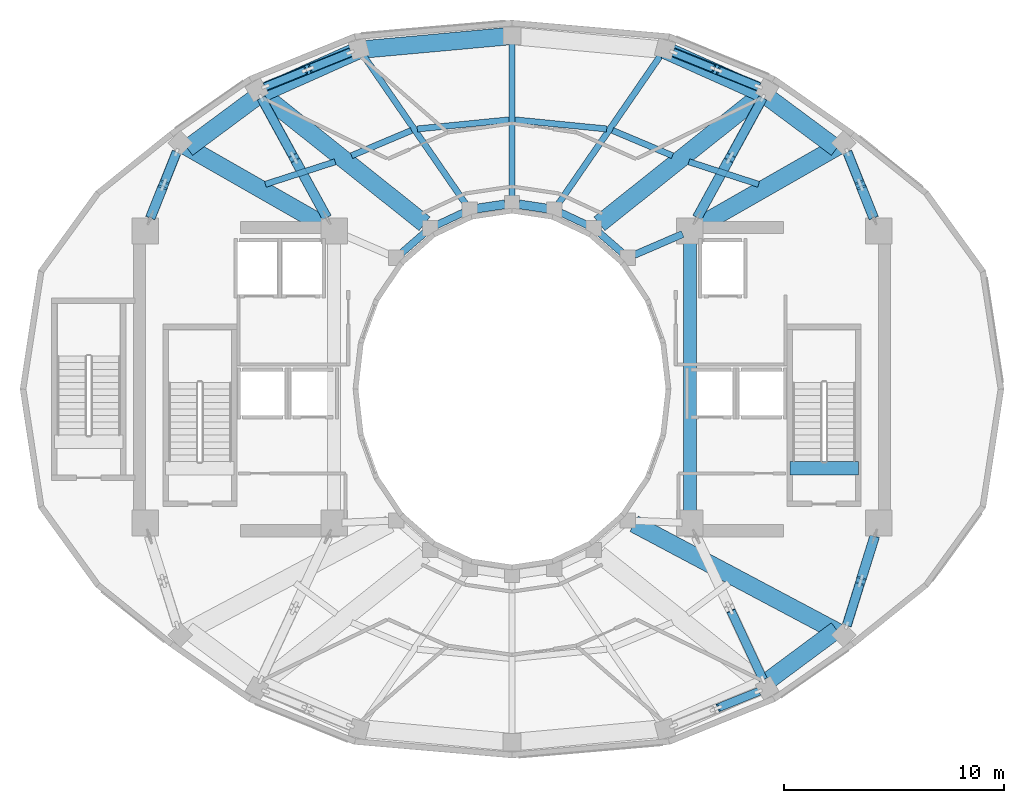
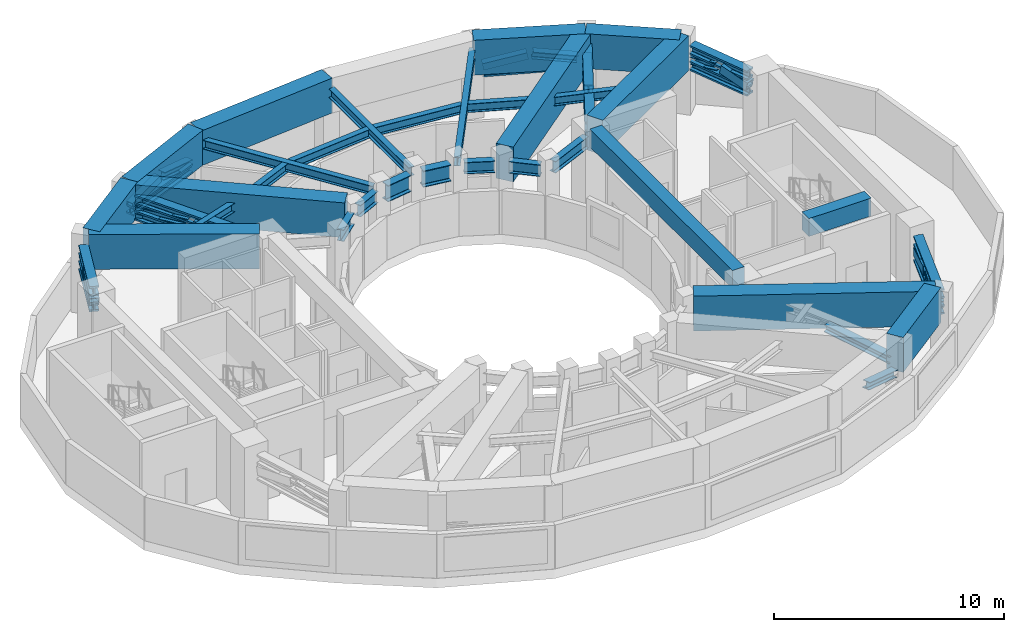
# One storey, part 2 of 10: 41 beams, 16 members.
"""IFC4 building model written with IfcOpenShell, lengths in metres."""

from ifc_helpers import new_model, si_unit, direction, frame, origin, origin_2d, place, context, subcontext, project, spatial, rectangle, hollow_rectangle, i_section, extrude, material, material_profile, profile_set, type_object, element, save


model = new_model("IFC4")

# Units and contexts
model_context = context("Model", 3, precision=1e-05, world=origin(), true_north=direction((0.0, 1.0)))
body_context = subcontext(model_context, "Body", "Model", "MODEL_VIEW")
ifc_project = project(units=[si_unit("LENGTHUNIT", "METRE"), si_unit("AREAUNIT", "SQUARE_METRE"), si_unit("VOLUMEUNIT", "CUBIC_METRE"), si_unit("PLANEANGLEUNIT", "RADIAN"), si_unit("MASSUNIT", "GRAM", prefix="KILO")], contexts=[model_context])

# Site, building, storey
site_placement = place(None, origin())
site = spatial("IfcSite", under=ifc_project, at=site_placement, CompositionType="ELEMENT")
building_placement = place(site_placement, origin())
building = spatial("IfcBuilding", under=site, at=building_placement, Name="Solvane Sanctuary Tower", CompositionType="ELEMENT")
storey_placement = place(building_placement, frame((0.0, 0.0, 193.199951171875)))
storey = spatial("IfcBuildingStorey", under=building, at=storey_placement, Name="L59", CompositionType="ELEMENT", Elevation=193.199951171875)

# Beams
ifc_material_1 = material(Name="Steel ASTM A913 Grade 65", Category="steel")
ifc_material_profile_1 = material_profile(ifc_material_1, i_section(OverallWidth=0.403076171875, OverallDepth=0.867919921875, WebThickness=0.02099609375, FlangeThickness=0.03564453125, FilletRadius=0.02197265625, at=origin_2d()), Name="W33X241")
ifc_profile_set_1 = profile_set([ifc_material_profile_1], Name="Steel ASTM A913 Grade 65")
beam_type_1 = type_object("IfcBeamType", Name="Beam B-BELT-CH W33X241", PredefinedType="BEAM", material=ifc_profile_set_1)
for number, where, z_axis, x_axis, name in (
    (1, (30.3857421875, 31.218994140625, 3.26416015625), (0.989056121481, 0.147539786368, 0.0), (-0.147539786368, 0.989056121481, 0.0), "L59 Inner Belt Chord IC05-IC04"),
    (2, (32.31640625, 31.41259765625, 3.26416015625), (0.989056121481, -0.147539786368, 0.0), (0.147539786368, 0.989056121481, 0.0), "L59 Inner Belt Chord IC04-IC03"),
):
    element("IfcBeam", number, at=place(storey_placement, frame(where, z_axis=z_axis, x_axis=x_axis)), inside=storey, type_object=beam_type_1, Name=name, PredefinedType="BEAM", context=body_context, shape_type="SweptSolid", body=[
        extrude(i_section(OverallWidth=0.403076171875, OverallDepth=0.867919921875, WebThickness=0.02099609375, FlangeThickness=0.03564453125, FilletRadius=0.02197265625, at=origin_2d()), origin(), (0.0, 0.0, 1.0), 1.312255859375),
    ])
ifc_material_2 = material(Name="Concrete C70/85", Category="concrete")
ifc_material_profile_2 = material_profile(ifc_material_2, rectangle(XDim=0.60009765625, YDim=0.949951171875, at=origin_2d()), Name="RC600X950")
ifc_profile_set_2 = profile_set([ifc_material_profile_2], Name="Concrete C70/85")
beam_type_2 = type_object("IfcBeamType", Name="Beam B-COUPLE RC600X950", PredefinedType="LINTEL", material=ifc_profile_set_2)
beam_1_placement = place(storey_placement, frame((40.10009765625, 17.35009765625, 3.72509765625), z_axis=(0.0, 1.0, 0.0), x_axis=(-1.0, 0.0, 0.0)))
element("IfcBeam", 3, at=beam_1_placement, inside=storey, type_object=beam_type_2, Name="L59 East Core Coupling Lintel", PredefinedType="LINTEL", context=body_context, shape_type="SweptSolid", body=[
    extrude(rectangle(XDim=0.60009765625, YDim=0.949951171875, at=origin_2d()), origin(), (0.0, 0.0, 1.0), 12.39990234375),
])
beam_2_placement = place(storey_placement, frame((44.64990234375, 19.399169921875, 3.72509765625), z_axis=(1.0, 0.0, 0.0), x_axis=(0.0, 1.0, 0.0)))
element("IfcBeam", 4, at=beam_2_placement, inside=storey, type_object=beam_type_2, Name="L59 ST-2 Stair Floor Landing Trimmer", PredefinedType="LINTEL", context=body_context, shape_type="SweptSolid", body=[
    extrude(rectangle(XDim=0.60009765625, YDim=0.949951171875, at=origin_2d()), origin(), (0.0, 0.0, 1.0), 3.1201171875),
])
ifc_material_profile_3 = material_profile(ifc_material_1, i_section(OverallWidth=0.431884765625, OverallDepth=0.498046875, WebThickness=0.0556640625, FlangeThickness=0.0888671875, FilletRadius=0.02490234375, at=origin_2d()), Name="W14X500")
ifc_profile_set_3 = profile_set([ifc_material_profile_3], Name="Steel ASTM A913 Grade 65")
beam_type_3 = type_object("IfcBeamType", Name="Beam B-OUTR-CH W14X500", PredefinedType="BEAM", material=ifc_profile_set_3)
for number, where, z_axis, x_axis, name in (
    (5, (15.542724609375, 30.809326171875, 3.448974609375), (0.370248826802, 0.928932616637, 0.0), (-0.928932616637, 0.370248826802, 0.0), "L59 Outrigger Top Chord OW1"),
    (6, (15.542724609375, 30.809326171875, 2.610107421875), (0.370248826802, 0.928932616637, 0.0), (-0.928932616637, 0.370248826802, 0.0), "L59 Outrigger Bottom Chord OW1"),
):
    element("IfcBeam", number, at=place(storey_placement, frame(where, z_axis=z_axis, x_axis=x_axis)), inside=storey, type_object=beam_type_3, Name=name, PredefinedType="BEAM", context=body_context, shape_type="SweptSolid", body=[
        extrude(i_section(OverallWidth=0.431884765625, OverallDepth=0.498046875, WebThickness=0.0556640625, FlangeThickness=0.0888671875, FilletRadius=0.02490234375, at=origin_2d()), origin(), (0.0, 0.0, 1.0), 3.2080078125),
    ])
for number, where, z_axis, x_axis, name in (
    (7, (23.56640625, 30.808837890625, 3.448974609375), (-0.480440631175, 0.877027251524, 0.0), (-0.877027251524, -0.480440631175, 0.0), "L59 Outrigger Top Chord OW2"),
    (8, (23.56640625, 30.808837890625, 2.610107421875), (-0.480440631175, 0.877027251524, 0.0), (-0.877027251524, -0.480440631175, 0.0), "L59 Outrigger Bottom Chord OW2"),
):
    element("IfcBeam", number, at=place(storey_placement, frame(where, z_axis=z_axis, x_axis=x_axis)), inside=storey, type_object=beam_type_3, Name=name, PredefinedType="BEAM", context=body_context, shape_type="SweptSolid", body=[
        extrude(i_section(OverallWidth=0.431884765625, OverallDepth=0.498046875, WebThickness=0.0556640625, FlangeThickness=0.0888671875, FilletRadius=0.02490234375, at=origin_2d()), origin(), (0.0, 0.0, 1.0), 6.210205078125),
    ])
for number, where, z_axis, x_axis, name in (
    (9, (48.457275390625, 30.809326171875, 3.448974609375), (-0.370248826802, 0.928932616637, 0.0), (-0.928932616637, -0.370248826802, 0.0), "L59 Outrigger Top Chord OE1"),
    (10, (48.457275390625, 30.809326171875, 2.610107421875), (-0.370248826802, 0.928932616637, 0.0), (-0.928932616637, -0.370248826802, 0.0), "L59 Outrigger Bottom Chord OE1"),
):
    element("IfcBeam", number, at=place(storey_placement, frame(where, z_axis=z_axis, x_axis=x_axis)), inside=storey, type_object=beam_type_3, Name=name, PredefinedType="BEAM", context=body_context, shape_type="SweptSolid", body=[
        extrude(i_section(OverallWidth=0.431884765625, OverallDepth=0.498046875, WebThickness=0.0556640625, FlangeThickness=0.0888671875, FilletRadius=0.02490234375, at=origin_2d()), origin(), (0.0, 0.0, 1.0), 3.2080078125),
    ])
for number, where, z_axis, x_axis, name in (
    (11, (40.43359375, 30.808837890625, 3.448974609375), (0.480440631175, 0.877027251524, 0.0), (-0.877027251524, 0.480440631175, 0.0), "L59 Outrigger Top Chord OE2"),
    (12, (40.43359375, 30.808837890625, 2.610107421875), (0.480440631175, 0.877027251524, 0.0), (-0.877027251524, 0.480440631175, 0.0), "L59 Outrigger Bottom Chord OE2"),
):
    element("IfcBeam", number, at=place(storey_placement, frame(where, z_axis=z_axis, x_axis=x_axis)), inside=storey, type_object=beam_type_3, Name=name, PredefinedType="BEAM", context=body_context, shape_type="SweptSolid", body=[
        extrude(i_section(OverallWidth=0.431884765625, OverallDepth=0.498046875, WebThickness=0.0556640625, FlangeThickness=0.0888671875, FilletRadius=0.02490234375, at=origin_2d()), origin(), (0.0, 0.0, 1.0), 6.210205078125),
    ])
for number, where, z_axis, x_axis, name in (
    (13, (48.509521484375, 16.29052734375, 3.448974609375), (-0.298373195147, -0.954449284361, 0.0), (0.954449284361, -0.298373195147, 0.0), "L59 Outrigger Top Chord OE3"),
    (14, (48.509521484375, 16.29052734375, 2.610107421875), (-0.298373195147, -0.954449284361, 0.0), (0.954449284361, -0.298373195147, 0.0), "L59 Outrigger Bottom Chord OE3"),
):
    element("IfcBeam", number, at=place(storey_placement, frame(where, z_axis=z_axis, x_axis=x_axis)), inside=storey, type_object=beam_type_3, Name=name, PredefinedType="BEAM", context=body_context, shape_type="SweptSolid", body=[
        extrude(i_section(OverallWidth=0.431884765625, OverallDepth=0.498046875, WebThickness=0.0556640625, FlangeThickness=0.0888671875, FilletRadius=0.02490234375, at=origin_2d()), origin(), (0.0, 0.0, 1.0), 4.24658203125),
    ])
for number, where, z_axis, x_axis, name in (
    (15, (20.769775390625, 36.769775390625, 2.300048828125), (0.927677396814, 0.373382709082, 0.0), (-0.373382709082, 0.927677396814, 0.0), "L59 Belt Truss Bottom Chord 06-05"),
    (16, (39.3505859375, 38.331298828125, 2.300048828125), (0.927677396814, -0.373382709082, 0.0), (0.373382709082, 0.927677396814, 0.0), "L59 Belt Truss Bottom Chord 03-02"),
):
    element("IfcBeam", number, at=place(storey_placement, frame(where, z_axis=z_axis, x_axis=x_axis)), inside=storey, type_object=beam_type_3, Name=name, PredefinedType="BEAM", context=body_context, shape_type="SweptSolid", body=[
        extrude(i_section(OverallWidth=0.431884765625, OverallDepth=0.498046875, WebThickness=0.0556640625, FlangeThickness=0.0888671875, FilletRadius=0.02490234375, at=origin_2d()), origin(), (0.0, 0.0, 1.0), 4.18212890625),
    ])
ifc_material_3 = material(Name="Steel ASTM A992 Grade 50", Category="steel")
ifc_material_profile_4 = material_profile(ifc_material_3, i_section(OverallWidth=0.282958984375, OverallDepth=0.471923828125, WebThickness=0.013671875, FlangeThickness=0.022216796875, FilletRadius=0.013916015625, at=origin_2d()), Name="W18X97")
ifc_profile_set_4 = profile_set([ifc_material_profile_4], Name="Steel ASTM A992 Grade 50")
beam_type_4 = type_object("IfcBeamType", Name="Beam B-RAD-Z4 W18X97", PredefinedType="JOIST", material=ifc_profile_set_4)
beam_3_placement = place(storey_placement, frame((34.089599609375, 31.40234375, 3.462158203125), z_axis=(0.567171239432, 0.823599893857, 0.0), x_axis=(-0.823599893857, 0.567171239432, 0.0)))
element("IfcBeam", 17, at=beam_3_placement, inside=storey, type_object=beam_type_4, Name="L59 Radial Composite Floor Beam 03", PredefinedType="JOIST", context=body_context, shape_type="SweptSolid", body=[
    extrude(i_section(OverallWidth=0.282958984375, OverallDepth=0.471923828125, WebThickness=0.013671875, FlangeThickness=0.022216796875, FilletRadius=0.013916015625, at=origin_2d()), origin(), (0.0, 0.0, 1.0), 8.3203125),
])
beam_4_placement = place(storey_placement, frame((32.0, 31.739990234375, 3.462158203125), z_axis=(0.0, 1.0, 0.0), x_axis=(-1.0, 0.0, 0.0)))
element("IfcBeam", 18, at=beam_4_placement, inside=storey, type_object=beam_type_4, Name="L59 Radial Composite Floor Beam 04", PredefinedType="JOIST", context=body_context, shape_type="SweptSolid", body=[
    extrude(i_section(OverallWidth=0.282958984375, OverallDepth=0.471923828125, WebThickness=0.013671875, FlangeThickness=0.022216796875, FilletRadius=0.013916015625, at=origin_2d()), origin(), (0.0, 0.0, 1.0), 7.06005859375),
])
beam_5_placement = place(storey_placement, frame((29.910400390625, 31.40234375, 3.462158203125), z_axis=(-0.567171239432, 0.823599893857, 0.0), x_axis=(-0.823599893857, -0.567171239432, 0.0)))
element("IfcBeam", 19, at=beam_5_placement, inside=storey, type_object=beam_type_4, Name="L59 Radial Composite Floor Beam 05", PredefinedType="JOIST", context=body_context, shape_type="SweptSolid", body=[
    extrude(i_section(OverallWidth=0.282958984375, OverallDepth=0.471923828125, WebThickness=0.013671875, FlangeThickness=0.022216796875, FilletRadius=0.013916015625, at=origin_2d()), origin(), (0.0, 0.0, 1.0), 8.3203125),
])
ifc_material_profile_5 = material_profile(ifc_material_3, i_section(OverallWidth=0.324951171875, OverallDepth=0.615966796875, WebThickness=0.013916015625, FlangeThickness=0.021484375, FilletRadius=0.01611328125, at=origin_2d()), Name="W24X117")
ifc_profile_set_5 = profile_set([ifc_material_profile_5], Name="Steel ASTM A992 Grade 50")
beam_type_5 = type_object("IfcBeamType", Name="Beam B-RING-IN2 W24X117", PredefinedType="BEAM", material=ifc_profile_set_5)
beam_6_placement = place(storey_placement, frame((26.96630859375, 29.192138671875, 3.39013671875), z_axis=(0.754388985763, 0.656427648839, 0.0), x_axis=(-0.656427648839, 0.754388985763, 0.0)))
element("IfcBeam", 20, at=beam_6_placement, inside=storey, type_object=beam_type_5, Name="L59 Inner Light-Well Ring Beam IC07-IC06", PredefinedType="BEAM", context=body_context, shape_type="SweptSolid", body=[
    extrude(i_section(OverallWidth=0.324951171875, OverallDepth=0.615966796875, WebThickness=0.013916015625, FlangeThickness=0.021484375, FilletRadius=0.01611328125, at=origin_2d()), origin(), (0.0, 0.0, 1.0), 1.408203125),
])
for number, where, z_axis, x_axis, name in (
    (21, (28.5595703125, 30.462646484375, 3.39013671875), (0.905134542189, 0.425125229241, 0.0), (-0.425125229241, 0.905134542189, 0.0), "L59 Inner Light-Well Ring Beam IC06-IC05"),
    (22, (34.220458984375, 31.03564453125, 3.39013671875), (0.905134542189, -0.425125229241, 0.0), (0.425125229241, 0.905134542189, 0.0), "L59 Inner Light-Well Ring Beam IC03-IC02"),
):
    element("IfcBeam", number, at=place(storey_placement, frame(where, z_axis=z_axis, x_axis=x_axis)), inside=storey, type_object=beam_type_5, Name=name, PredefinedType="BEAM", context=body_context, shape_type="SweptSolid", body=[
        extrude(i_section(OverallWidth=0.324951171875, OverallDepth=0.615966796875, WebThickness=0.013916015625, FlangeThickness=0.021484375, FilletRadius=0.01611328125, at=origin_2d()), origin(), (0.0, 0.0, 1.0), 1.347900390625),
    ])
beam_7_placement = place(storey_placement, frame((35.971435546875, 30.116455078125, 3.39013671875), z_axis=(0.754388985763, -0.656427648839, 0.0), x_axis=(0.656427648839, 0.754388985763, 0.0)))
element("IfcBeam", 23, at=beam_7_placement, inside=storey, type_object=beam_type_5, Name="L59 Inner Light-Well Ring Beam IC02-IC01", PredefinedType="BEAM", context=body_context, shape_type="SweptSolid", body=[
    extrude(i_section(OverallWidth=0.324951171875, OverallDepth=0.615966796875, WebThickness=0.013916015625, FlangeThickness=0.021484375, FilletRadius=0.01611328125, at=origin_2d()), origin(), (0.0, 0.0, 1.0), 1.408203125),
])
beam_8_placement = place(storey_placement, frame((37.56884765625, 29.10888671875, 3.39013671875), z_axis=(0.918283854026, 0.395922673554, 0.0), x_axis=(-0.395922673554, 0.918283854026, 0.0)))
element("IfcBeam", 24, at=beam_8_placement, inside=storey, type_object=beam_type_5, Name="L59 Inner Light-Well Ring Beam IC01-CE4", PredefinedType="BEAM", context=body_context, shape_type="SweptSolid", body=[
    extrude(i_section(OverallWidth=0.324951171875, OverallDepth=0.615966796875, WebThickness=0.013916015625, FlangeThickness=0.021484375, FilletRadius=0.01611328125, at=origin_2d()), origin(), (0.0, 0.0, 1.0), 2.396240234375),
])
ifc_material_profile_6 = material_profile(ifc_material_3, i_section(OverallWidth=0.280029296875, OverallDepth=0.462890625, WebThickness=0.0107421875, FlangeThickness=0.017333984375, FilletRadius=0.013916015625, at=origin_2d()), Name="W18X76")
ifc_profile_set_6 = profile_set([ifc_material_profile_6], Name="Steel ASTM A992 Grade 50")
beam_type_6 = type_object("IfcBeamType", Name="Beam B-SEC-JOIST W18X76", PredefinedType="JOIST", material=ifc_profile_set_6)
beam_9_placement = place(storey_placement, frame((20.7734375, 32.322998046875, 3.466552734375), z_axis=(0.951616259443, 0.307288943444, 0.0), x_axis=(-0.307288943444, 0.951616259443, 0.0)))
element("IfcBeam", 25, at=beam_9_placement, inside=storey, type_object=beam_type_6, Name="L59 Secondary Circumferential Joist 07-06", PredefinedType="JOIST", context=body_context, shape_type="SweptSolid", body=[
    extrude(i_section(OverallWidth=0.280029296875, OverallDepth=0.462890625, WebThickness=0.0107421875, FlangeThickness=0.017333984375, FilletRadius=0.013916015625, at=origin_2d()), origin(), (0.0, 0.0, 1.0), 3.340087890625),
])
beam_10_placement = place(storey_placement, frame((24.69189453125, 33.6240234375, 3.466552734375), z_axis=(0.92156718097, 0.388218921434, 0.0), x_axis=(-0.388218921434, 0.92156718097, 0.0)))
element("IfcBeam", 26, at=beam_10_placement, inside=storey, type_object=beam_type_6, Name="L59 Secondary Circumferential Joist 06-05", PredefinedType="JOIST", context=body_context, shape_type="SweptSolid", body=[
    extrude(i_section(OverallWidth=0.280029296875, OverallDepth=0.462890625, WebThickness=0.0107421875, FlangeThickness=0.017333984375, FilletRadius=0.013916015625, at=origin_2d()), origin(), (0.0, 0.0, 1.0), 2.9658203125),
])
for number, where, z_axis, x_axis, name in (
    (27, (27.686767578125, 34.842041015625, 3.466552734375), (0.995112334743, 0.098749386032, 0.0), (-0.098749386032, 0.995112334743, 0.0), "L59 Secondary Circumferential Joist 05-04"),
    (28, (32.1357421875, 35.256591796875, 3.466552734375), (0.995112334743, -0.098749386032, 0.0), (0.098749386032, 0.995112334743, 0.0), "L59 Secondary Circumferential Joist 04-03"),
):
    element("IfcBeam", number, at=place(storey_placement, frame(where, z_axis=z_axis, x_axis=x_axis)), inside=storey, type_object=beam_type_6, Name=name, PredefinedType="JOIST", context=body_context, shape_type="SweptSolid", body=[
        extrude(i_section(OverallWidth=0.280029296875, OverallDepth=0.462890625, WebThickness=0.0107421875, FlangeThickness=0.017333984375, FilletRadius=0.013916015625, at=origin_2d()), origin(), (0.0, 0.0, 1.0), 4.197998046875),
    ])
beam_11_placement = place(storey_placement, frame((36.574951171875, 34.775390625, 3.466552734375), z_axis=(0.92156718097, -0.388218921434, 0.0), x_axis=(0.388218921434, 0.92156718097, 0.0)))
element("IfcBeam", 29, at=beam_11_placement, inside=storey, type_object=beam_type_6, Name="L59 Secondary Circumferential Joist 03-02", PredefinedType="JOIST", context=body_context, shape_type="SweptSolid", body=[
    extrude(i_section(OverallWidth=0.280029296875, OverallDepth=0.462890625, WebThickness=0.0107421875, FlangeThickness=0.017333984375, FilletRadius=0.013916015625, at=origin_2d()), origin(), (0.0, 0.0, 1.0), 2.9658203125),
])
beam_12_placement = place(storey_placement, frame((40.048095703125, 33.349365234375, 3.466552734375), z_axis=(0.951616259443, -0.307288943444, 0.0), x_axis=(0.307288943444, 0.951616259443, 0.0)))
element("IfcBeam", 30, at=beam_12_placement, inside=storey, type_object=beam_type_6, Name="L59 Secondary Circumferential Joist 02-01", PredefinedType="JOIST", context=body_context, shape_type="SweptSolid", body=[
    extrude(i_section(OverallWidth=0.280029296875, OverallDepth=0.462890625, WebThickness=0.0107421875, FlangeThickness=0.017333984375, FilletRadius=0.013916015625, at=origin_2d()), origin(), (0.0, 0.0, 1.0), 3.340087890625),
])
ifc_material_profile_7 = material_profile(ifc_material_2, rectangle(XDim=0.800048828125, YDim=1.85009765625, at=origin_2d()), Name="RC800X1850")
ifc_profile_set_7 = profile_set([ifc_material_profile_7], Name="Concrete C70/85")
beam_type_7 = type_object("IfcBeamType", Name="Beam B-XFER-BLK RC800X1850", PredefinedType="BEAM", material=ifc_profile_set_7)
beam_13_placement = place(storey_placement, frame((40.41259765625, 30.378662109375, 3.275146484375), z_axis=(0.868218869034, 0.496181413853, 0.0), x_axis=(-0.496181413853, 0.868218869034, 0.0)))
element("IfcBeam", 31, at=beam_13_placement, inside=storey, type_object=beam_type_7, Name="L59 Block-Shift Radial Transfer Girder 01A", PredefinedType="BEAM", context=body_context, shape_type="SweptSolid", body=[
    extrude(rectangle(XDim=0.800048828125, YDim=1.85009765625, at=origin_2d()), origin(), (0.0, 0.0, 1.0), 7.427734375),
])
for number, where, z_axis, x_axis, name in (
    (32, (35.980224609375, 30.526123046875, 3.275146484375), (0.78178956373, 0.623542362669, 0.0), (-0.623542362669, 0.78178956373, 0.0), "L59 Block-Shift Radial Transfer Girder 02A"),
    (33, (28.019775390625, 30.526123046875, 3.275146484375), (-0.78178956373, 0.623542362669, 0.0), (-0.623542362669, -0.78178956373, 0.0), "L59 Block-Shift Radial Transfer Girder 06A"),
):
    element("IfcBeam", number, at=place(storey_placement, frame(where, z_axis=z_axis, x_axis=x_axis)), inside=storey, type_object=beam_type_7, Name=name, PredefinedType="BEAM", context=body_context, shape_type="SweptSolid", body=[
        extrude(rectangle(XDim=0.800048828125, YDim=1.85009765625, at=origin_2d()), origin(), (0.0, 0.0, 1.0), 9.485107421875),
    ])
beam_14_placement = place(storey_placement, frame((23.58740234375, 30.378662109375, 3.275146484375), z_axis=(-0.868218869034, 0.496181413853, 0.0), x_axis=(-0.496181413853, -0.868218869034, 0.0)))
element("IfcBeam", 34, at=beam_14_placement, inside=storey, type_object=beam_type_7, Name="L59 Block-Shift Radial Transfer Girder 07A", PredefinedType="BEAM", context=body_context, shape_type="SweptSolid", body=[
    extrude(rectangle(XDim=0.800048828125, YDim=1.85009765625, at=origin_2d()), origin(), (0.0, 0.0, 1.0), 7.427734375),
])
beam_15_placement = place(storey_placement, frame((37.5576171875, 16.867919921875, 3.275146484375), z_axis=(0.883148136955, -0.469094199701, 0.0), x_axis=(0.469094199701, 0.883148136955, 0.0)))
element("IfcBeam", 35, at=beam_15_placement, inside=storey, type_object=beam_type_7, Name="L59 Block-Shift Radial Transfer Girder 14A", PredefinedType="BEAM", context=body_context, shape_type="SweptSolid", body=[
    extrude(rectangle(XDim=0.800048828125, YDim=1.85009765625, at=origin_2d()), origin(), (0.0, 0.0, 1.0), 10.5302734375),
])
beam_16_placement = place(storey_placement, frame((17.22021484375, 33.962158203125, 3.275146484375), z_axis=(0.802899508864, 0.596114400653, 0.0), x_axis=(-0.596114400653, 0.802899508864, 0.0)))
element("IfcBeam", 36, at=beam_16_placement, inside=storey, type_object=beam_type_7, Name="L59 Perimeter Step Transfer Ring NTC07-NTC06", PredefinedType="BEAM", context=body_context, shape_type="SweptSolid", body=[
    extrude(rectangle(XDim=0.800048828125, YDim=1.85009765625, at=origin_2d()), origin(), (0.0, 0.0, 1.0), 4.139404296875),
])
beam_17_placement = place(storey_placement, frame((20.543701171875, 36.4296875, 3.275146484375), z_axis=(0.912772647113, 0.408467984893, 0.0), x_axis=(-0.408467984893, 0.912772647113, 0.0)))
element("IfcBeam", 37, at=beam_17_placement, inside=storey, type_object=beam_type_7, Name="L59 Perimeter Step Transfer Ring NTC06-NTC05", PredefinedType="BEAM", context=body_context, shape_type="SweptSolid", body=[
    extrude(rectangle(XDim=0.800048828125, YDim=1.85009765625, at=origin_2d()), origin(), (0.0, 0.0, 1.0), 4.93701171875),
])
beam_18_placement = place(storey_placement, frame((25.050048828125, 38.4462890625, 3.275146484375), z_axis=(0.995867646348, 0.09081646854, 0.0), x_axis=(-0.09081646854, 0.995867646348, 0.0)))
element("IfcBeam", 38, at=beam_18_placement, inside=storey, type_object=beam_type_7, Name="L59 Perimeter Step Transfer Ring NTC05-NTC04", PredefinedType="BEAM", context=body_context, shape_type="SweptSolid", body=[
    extrude(rectangle(XDim=0.800048828125, YDim=1.85009765625, at=origin_2d()), origin(), (0.0, 0.0, 1.0), 6.978759765625),
])
beam_19_placement = place(storey_placement, frame((38.949951171875, 38.4462890625, 3.275146484375), z_axis=(0.912772647113, -0.408467984893, 0.0), x_axis=(0.408467984893, 0.912772647113, 0.0)))
element("IfcBeam", 39, at=beam_19_placement, inside=storey, type_object=beam_type_7, Name="L59 Perimeter Step Transfer Ring NTC03-NTC02", PredefinedType="BEAM", context=body_context, shape_type="SweptSolid", body=[
    extrude(rectangle(XDim=0.800048828125, YDim=1.85009765625, at=origin_2d()), origin(), (0.0, 0.0, 1.0), 4.93701171875),
])
for number, where, z_axis, x_axis, name in (
    (40, (43.456298828125, 36.4296875, 3.275146484375), (0.802899508864, -0.596114400653, 0.0), (0.596114400653, 0.802899508864, 0.0), "L59 Perimeter Step Transfer Ring NTC02-NTC01"),
    (41, (43.456298828125, 9.5703125, 3.275146484375), (0.802899508864, 0.596114400653, 0.0), (-0.596114400653, 0.802899508864, 0.0), "L59 Perimeter Step Transfer Ring NTC13-NTC14"),
):
    element("IfcBeam", number, at=place(storey_placement, frame(where, z_axis=z_axis, x_axis=x_axis)), inside=storey, type_object=beam_type_7, Name=name, PredefinedType="BEAM", context=body_context, shape_type="SweptSolid", body=[
        extrude(rectangle(XDim=0.800048828125, YDim=1.85009765625, at=origin_2d()), origin(), (0.0, 0.0, 1.0), 4.139404296875),
    ])

# Members
ifc_material_profile_8 = material_profile(ifc_material_1, hollow_rectangle(XDim=0.35009765625, YDim=0.35009765625, WallThickness=0.01611328125, at=origin_2d()), Name="HSS350X350X16")
ifc_profile_set_8 = profile_set([ifc_material_profile_8], Name="Steel ASTM A913 Grade 65")
member_type_1 = type_object("IfcMemberType", Name="Member M-BELT-DIAG HSS350X350X16", PredefinedType="BRACE", material=ifc_profile_set_8)
member_1_placement = place(storey_placement, frame((20.783447265625, 36.775146484375, 2.552001953125), z_axis=(0.909549985051, 0.366008750669, 0.196866500775), x_axis=(-0.373314400014, 0.927704887743, 0.0)))
element("IfcMember", 42, at=member_1_placement, inside=storey, type_object=member_type_1, Name="L59 Belt Truss Diagonal 06-05", PredefinedType="BRACE", context=body_context, shape_type="SweptSolid", body=[
    extrude(hollow_rectangle(XDim=0.35009765625, YDim=0.35009765625, WallThickness=0.01611328125, at=origin_2d()), origin(), (0.0, 0.0, 1.0), 2.0078125),
])
member_2_placement = place(storey_placement, frame((39.364013671875, 38.32568359375, 2.552001953125), z_axis=(0.90957098376, -0.365968274444, 0.196844729676), x_axis=(0.373271451622, 0.927722169296, 0.0)))
element("IfcMember", 43, at=member_2_placement, inside=storey, type_object=member_type_1, Name="L59 Belt Truss Diagonal 03-02", PredefinedType="BRACE", context=body_context, shape_type="SweptSolid", body=[
    extrude(hollow_rectangle(XDim=0.35009765625, YDim=0.35009765625, WallThickness=0.01611328125, at=origin_2d()), origin(), (0.0, 0.0, 1.0), 2.008056640625),
])
ifc_material_profile_9 = material_profile(ifc_material_3, i_section(OverallWidth=0.3740234375, OverallDepth=0.3720703125, WebThickness=0.016357421875, FlangeThickness=0.026123046875, FilletRadius=0.02490234375, at=origin_2d()), Name="W14X132")
ifc_profile_set_9 = profile_set([ifc_material_profile_9], Name="Steel ASTM A992 Grade 50")
member_type_2 = type_object("IfcMemberType", Name="Member M-BELT-POST W14X132", PredefinedType="POST", material=ifc_profile_set_9)
member_3_placement = place(storey_placement, frame((22.8095703125, 37.5908203125, 2.947265625), z_axis=(0.90957098376, 0.365968274444, -0.196844729676), x_axis=(-0.373271451622, 0.927722169296, 0.0)))
element("IfcMember", 44, at=member_3_placement, inside=storey, type_object=member_type_2, Name="L59 Belt Truss Web Strut 06-05", PredefinedType="POST", context=body_context, shape_type="SweptSolid", body=[
    extrude(i_section(OverallWidth=0.3740234375, OverallDepth=0.3720703125, WebThickness=0.016357421875, FlangeThickness=0.026123046875, FilletRadius=0.02490234375, at=origin_2d()), origin(), (0.0, 0.0, 1.0), 2.008056640625),
])
for number, where, z_axis, x_axis, name in (
    (45, (41.390380859375, 37.510009765625, 2.947265625), (0.909549985051, -0.366008750669, -0.196866500775), (0.373314400014, 0.927704887743, 0.0), "L59 Belt Truss Web Strut 03-02"),
    (46, (41.390380859375, 8.489990234375, 2.947265625), (0.909549985051, 0.366008750669, -0.196866500775), (-0.373314400014, 0.927704887743, 0.0), "L59 Belt Truss Web Strut 12-13"),
):
    element("IfcMember", number, at=place(storey_placement, frame(where, z_axis=z_axis, x_axis=x_axis)), inside=storey, type_object=member_type_2, Name=name, PredefinedType="POST", context=body_context, shape_type="SweptSolid", body=[
        extrude(i_section(OverallWidth=0.3740234375, OverallDepth=0.3720703125, WebThickness=0.016357421875, FlangeThickness=0.026123046875, FilletRadius=0.02490234375, at=origin_2d()), origin(), (0.0, 0.0, 1.0), 2.0078125),
    ])
ifc_material_profile_10 = material_profile(ifc_material_1, hollow_rectangle(XDim=0.449951171875, YDim=0.449951171875, WallThickness=0.02001953125, at=origin_2d()), Name="HSS450X450X20")
ifc_profile_set_10 = profile_set([ifc_material_profile_10], Name="Steel ASTM A913 Grade 65")
member_type_3 = type_object("IfcMemberType", Name="Member M-OUTR-DIAG HSS450X450X20", PredefinedType="BRACE", material=ifc_profile_set_10)
member_4_placement = place(storey_placement, frame((15.550048828125, 30.827392578125, 2.86328125), z_axis=(0.362141897491, 0.908632045968, 0.207944827111), x_axis=(-0.928938115939, 0.370235029076, 0.0)))
element("IfcMember", 47, at=member_4_placement, inside=storey, type_object=member_type_3, Name="L59 Outrigger Truss Diagonal OW1", PredefinedType="BRACE", context=body_context, shape_type="SweptSolid", body=[
    extrude(hollow_rectangle(XDim=0.449951171875, YDim=0.449951171875, WallThickness=0.02001953125, at=origin_2d()), origin(), (0.0, 0.0, 1.0), 1.489990234375),
])
member_5_placement = place(storey_placement, frame((23.556884765625, 30.826171875, 2.861328125), z_axis=(-0.477562883395, 0.871796503142, 0.109107971812), x_axis=(-0.877032470994, -0.480431103096, 0.0)))
element("IfcMember", 48, at=member_5_placement, inside=storey, type_object=member_type_3, Name="L59 Outrigger Truss Diagonal OW2", PredefinedType="BRACE", context=body_context, shape_type="SweptSolid", body=[
    extrude(hollow_rectangle(XDim=0.449951171875, YDim=0.449951171875, WallThickness=0.02001953125, at=origin_2d()), origin(), (0.0, 0.0, 1.0), 2.973876953125),
])
member_6_placement = place(storey_placement, frame((48.449951171875, 30.827392578125, 2.86328125), z_axis=(-0.362141897491, 0.908632045968, 0.207944827111), x_axis=(-0.928938115939, -0.370235029076, 0.0)))
element("IfcMember", 49, at=member_6_placement, inside=storey, type_object=member_type_3, Name="L59 Outrigger Truss Diagonal OE1", PredefinedType="BRACE", context=body_context, shape_type="SweptSolid", body=[
    extrude(hollow_rectangle(XDim=0.449951171875, YDim=0.449951171875, WallThickness=0.02001953125, at=origin_2d()), origin(), (0.0, 0.0, 1.0), 1.489990234375),
])
member_7_placement = place(storey_placement, frame((40.443115234375, 30.826171875, 2.861328125), z_axis=(0.477562883395, 0.871796503142, 0.109107971812), x_axis=(-0.877032470994, 0.480431103096, 0.0)))
element("IfcMember", 50, at=member_7_placement, inside=storey, type_object=member_type_3, Name="L59 Outrigger Truss Diagonal OE2", PredefinedType="BRACE", context=body_context, shape_type="SweptSolid", body=[
    extrude(hollow_rectangle(XDim=0.449951171875, YDim=0.449951171875, WallThickness=0.02001953125, at=origin_2d()), origin(), (0.0, 0.0, 1.0), 2.973876953125),
])
member_8_placement = place(storey_placement, frame((48.50341796875, 16.271728515625, 2.8623046875), z_axis=(-0.294488992486, -0.942413593028, 0.158533444359), x_axis=(0.954484376716, -0.298260916992, 0.0)))
element("IfcMember", 51, at=member_8_placement, inside=storey, type_object=member_type_3, Name="L59 Outrigger Truss Diagonal OE3", PredefinedType="BRACE", context=body_context, shape_type="SweptSolid", body=[
    extrude(hollow_rectangle(XDim=0.449951171875, YDim=0.449951171875, WallThickness=0.02001953125, at=origin_2d()), origin(), (0.0, 0.0, 1.0), 2.00048828125),
])
ifc_material_profile_11 = material_profile(ifc_material_1, i_section(OverallWidth=0.39892578125, OverallDepth=0.386962890625, WebThickness=0.02099609375, FlangeThickness=0.033203125, FilletRadius=0.02490234375, at=origin_2d()), Name="W14X176")
ifc_profile_set_11 = profile_set([ifc_material_profile_11], Name="Steel ASTM A913 Grade 65")
member_type_4 = type_object("IfcMemberType", Name="Member M-OUTR-POST W14X176", PredefinedType="POST", material=ifc_profile_set_11)
member_9_placement = place(storey_placement, frame((16.18359375, 32.41748046875, 3.173095703125), z_axis=(0.362195825099, 0.908603463507, -0.207975792783), x_axis=(-0.928915146964, 0.370292654183, 0.0)))
element("IfcMember", 52, at=member_9_placement, inside=storey, type_object=member_type_4, Name="L59 Outrigger Web Strut OW1", PredefinedType="POST", context=body_context, shape_type="SweptSolid", body=[
    extrude(i_section(OverallWidth=0.39892578125, OverallDepth=0.386962890625, WebThickness=0.02099609375, FlangeThickness=0.033203125, FilletRadius=0.02490234375, at=origin_2d()), origin(), (0.0, 0.0, 1.0), 1.48974609375),
])
member_10_placement = place(storey_placement, frame((22.012451171875, 33.6455078125, 3.185791015625), z_axis=(-0.477562883395, 0.871796503142, -0.109107971812), x_axis=(-0.877032470994, -0.480431103096, 0.0)))
element("IfcMember", 53, at=member_10_placement, inside=storey, type_object=member_type_4, Name="L59 Outrigger Web Strut OW2", PredefinedType="POST", context=body_context, shape_type="SweptSolid", body=[
    extrude(i_section(OverallWidth=0.39892578125, OverallDepth=0.386962890625, WebThickness=0.02099609375, FlangeThickness=0.033203125, FilletRadius=0.02490234375, at=origin_2d()), origin(), (0.0, 0.0, 1.0), 2.973876953125),
])
member_11_placement = place(storey_placement, frame((47.81640625, 32.41748046875, 3.173095703125), z_axis=(-0.362195825099, 0.908603463507, -0.207975792783), x_axis=(-0.928915146964, -0.370292654183, 0.0)))
element("IfcMember", 54, at=member_11_placement, inside=storey, type_object=member_type_4, Name="L59 Outrigger Web Strut OE1", PredefinedType="POST", context=body_context, shape_type="SweptSolid", body=[
    extrude(i_section(OverallWidth=0.39892578125, OverallDepth=0.386962890625, WebThickness=0.02099609375, FlangeThickness=0.033203125, FilletRadius=0.02490234375, at=origin_2d()), origin(), (0.0, 0.0, 1.0), 1.48974609375),
])
member_12_placement = place(storey_placement, frame((41.987548828125, 33.6455078125, 3.185791015625), z_axis=(0.477562883395, 0.871796503142, -0.109107971812), x_axis=(-0.877032470994, 0.480431103096, 0.0)))
element("IfcMember", 55, at=member_12_placement, inside=storey, type_object=member_type_4, Name="L59 Outrigger Web Strut OE2", PredefinedType="POST", context=body_context, shape_type="SweptSolid", body=[
    extrude(i_section(OverallWidth=0.39892578125, OverallDepth=0.386962890625, WebThickness=0.02099609375, FlangeThickness=0.033203125, FilletRadius=0.02490234375, at=origin_2d()), origin(), (0.0, 0.0, 1.0), 2.973876953125),
])
member_13_placement = place(storey_placement, frame((47.837646484375, 14.1416015625, 3.179443359375), z_axis=(-0.294566567868, -0.942393373506, -0.158509516015), x_axis=(0.954460184467, -0.298338325172, 0.0)))
element("IfcMember", 56, at=member_13_placement, inside=storey, type_object=member_type_4, Name="L59 Outrigger Web Strut OE3", PredefinedType="POST", context=body_context, shape_type="SweptSolid", body=[
    extrude(i_section(OverallWidth=0.39892578125, OverallDepth=0.386962890625, WebThickness=0.02099609375, FlangeThickness=0.033203125, FilletRadius=0.02490234375, at=origin_2d()), origin(), (0.0, 0.0, 1.0), 2.000732421875),
])
member_14_placement = place(storey_placement, frame((41.96728515625, 12.906982421875, 3.187744140625), z_axis=(0.421730626173, -0.901820108585, -0.094147600608), x_axis=(0.905843639499, 0.423612205654, 0.0)))
element("IfcMember", 57, at=member_14_placement, inside=storey, type_object=member_type_4, Name="L59 Outrigger Web Strut OE4", PredefinedType="POST", context=body_context, shape_type="SweptSolid", body=[
    extrude(i_section(OverallWidth=0.39892578125, OverallDepth=0.386962890625, WebThickness=0.02099609375, FlangeThickness=0.033203125, FilletRadius=0.02490234375, at=origin_2d()), origin(), (0.0, 0.0, 1.0), 3.47216796875),
])

save(model, "model.ifc")
